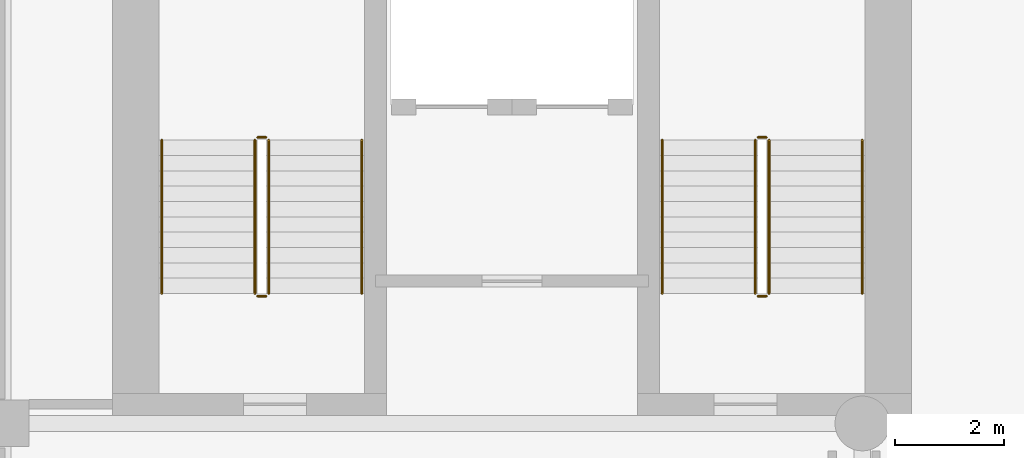
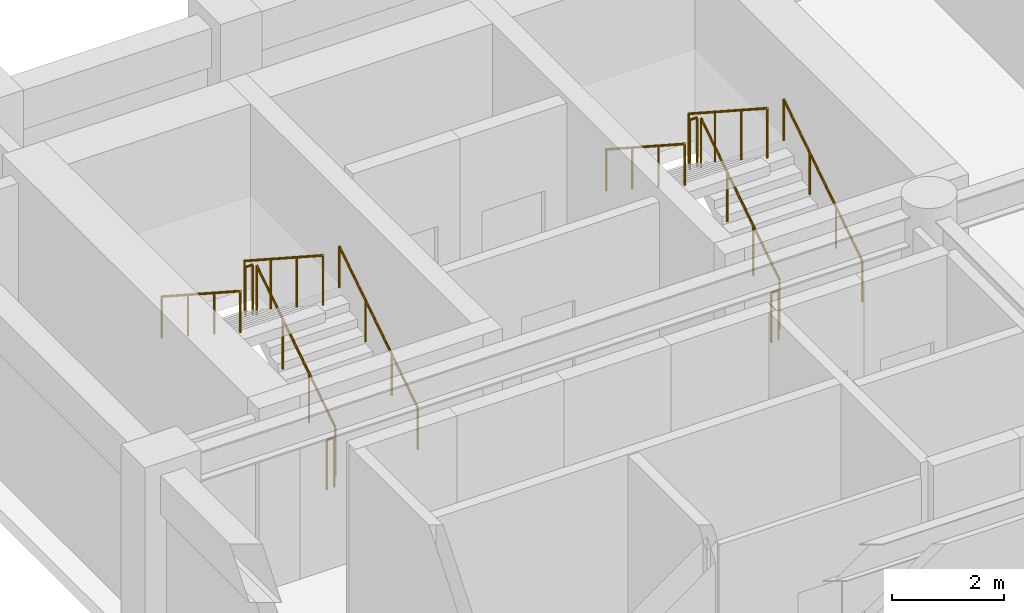
# One storey, part 7 of 8: 12 railings.
"""IFC4 building model written with IfcOpenShell, lengths in metres."""

import ifcopenshell
import ifcopenshell.guid

model = None  # the IFC model being written
_history = None  # IfcOwnerHistory: only IFC2X3 demands one
_inside = {}  # id of a spatial element -> (the spatial element, [elements in it])
_under = {}  # id of a project, library or spatial element -> (it, [spatial elements below it])
_declared = {}  # id of a project -> (the project, [libraries it declares])
_typed = {}  # id of a type object -> (the type object, [elements of that type])
_made_of = {}  # id of a material, layer set ... -> (it, [elements and type objects made of it])


def new_model(schema):
    """Start an empty IFC model of exactly this schema.

    Asked for "IFC4X3", IfcOpenShell would pick the latest addendum, in which some entities
    have other attributes; the version numbers below select the first issue.
    IFC2X3 requires an IfcOwnerHistory on every rooted entity: one is made here for all.
    """
    global model, _history
    if schema == "IFC4X3":
        model = ifcopenshell.file(schema_version=(4, 3, 0, 0))
    else:
        model = ifcopenshell.file(schema=schema)
    _inside.clear()
    _under.clear()
    _declared.clear()
    _typed.clear()
    _made_of.clear()
    _history = None
    if model.schema == "IFC2X3":
        org = make("IfcOrganization", Name="unknown")
        user = make(
            "IfcPersonAndOrganization",
            ThePerson=make("IfcPerson", FamilyName="unknown"),
            TheOrganization=org,
        )
        app = make(
            "IfcApplication",
            ApplicationDeveloper=org,
            Version="unknown",
            ApplicationFullName="unknown",
            ApplicationIdentifier="unknown",
        )
        _history = make(
            "IfcOwnerHistory",
            OwningUser=user,
            OwningApplication=app,
            ChangeAction="ADDED",
            CreationDate=0,
        )
    return model


def make(cls, **values):
    """One entity of the class cls with the attributes given. An attribute that is None is left unset."""
    return model.create_entity(
        cls, **{name: value for name, value in values.items() if value is not None}
    )


def rooted(cls, **values):
    """An entity with a GlobalId (a new one), such as an element, a storey or a relation."""
    return make(cls, GlobalId=ifcopenshell.guid.new(), OwnerHistory=_history, **values)


def si_unit(unit_type, name, prefix=None):
    """IfcSIUnit, for example si_unit("LENGTHUNIT", "METRE", prefix="MILLI")."""
    return make("IfcSIUnit", UnitType=unit_type, Prefix=prefix, Name=name)


def assignment(units):
    """IfcUnitAssignment: the units of a project."""
    return None if units is None else make("IfcUnitAssignment", Units=units)


def point(xyz):
    """IfcCartesianPoint."""
    return None if xyz is None else make("IfcCartesianPoint", Coordinates=xyz)


def direction(xyz):
    """IfcDirection."""
    return None if xyz is None else make("IfcDirection", DirectionRatios=xyz)


def frame(location, z_axis=None, x_axis=None):
    """IfcAxis2Placement3D, a coordinate frame: its origin and axes. An axis left out is left unset."""
    return make(
        "IfcAxis2Placement3D",
        Location=point(location),
        Axis=direction(z_axis),
        RefDirection=direction(x_axis),
    )


def frame_2d(location, x_axis=None):
    """IfcAxis2Placement2D, a coordinate frame in the plane: its origin and x axis."""
    return make(
        "IfcAxis2Placement2D", Location=point(location), RefDirection=direction(x_axis)
    )


def origin():
    """The frame at (0, 0, 0) with its axes left unset."""
    return frame((0.0, 0.0, 0.0))


def origin_2d():
    """The frame at (0, 0) in the plane with its x axis left unset."""
    return frame_2d((0.0, 0.0))


def place(relative_to, where):
    """IfcLocalPlacement: puts the frame where relative to a parent placement (None: the world)."""
    return make(
        "IfcLocalPlacement", PlacementRelTo=relative_to, RelativePlacement=where
    )


def context(
    kind, dimensions, precision=None, world=None, true_north=None, identifier=None
):
    """IfcGeometricRepresentationContext, for example the 3D "Model" context."""
    return make(
        "IfcGeometricRepresentationContext",
        ContextIdentifier=identifier,
        ContextType=kind,
        CoordinateSpaceDimension=dimensions,
        Precision=precision,
        WorldCoordinateSystem=world,
        TrueNorth=true_north,
    )


def subcontext(parent, identifier, kind, view, scale=None):
    """IfcGeometricRepresentationSubContext, for example "Body" below "Model"."""
    return make(
        "IfcGeometricRepresentationSubContext",
        ContextIdentifier=identifier,
        ContextType=kind,
        ParentContext=parent,
        TargetScale=scale,
        TargetView=view,
    )


def project(units=None, contexts=None):
    """IfcProject with its units and contexts."""
    return rooted(
        "IfcProject",
        Name="project",
        RepresentationContexts=contexts,
        UnitsInContext=assignment(units),
    )


def spatial(cls, under=None, at=None, **own):
    """A site, building, storey or space (cls), placed at a placement, below another one or the project."""
    s = rooted(cls, ObjectPlacement=at, **own)
    if under is not None:
        _under.setdefault(under.id(), (under, []))[1].append(s)
    return s


def profile(cls, at=None, kind="AREA", **sizes):
    """A parametric profile (cls). Its sizes go by their IFC names, for example OverallWidth=200.0."""
    return make(cls, ProfileType=kind, Position=at, **sizes)


def circle(**sizes):
    """IfcCircleProfileDef."""
    return profile("IfcCircleProfileDef", **sizes)


def extrude(swept, where, along, depth):
    """IfcExtrudedAreaSolid: the profile swept, set in the frame where, extruded along a direction by depth."""
    return make(
        "IfcExtrudedAreaSolid",
        SweptArea=swept,
        Position=where,
        ExtrudedDirection=direction(along),
        Depth=depth,
    )


def shape(context_of_items, identifier, shape_type, items):
    """IfcShapeRepresentation: the items that make up one representation, for example the "Body"."""
    return make(
        "IfcShapeRepresentation",
        ContextOfItems=context_of_items,
        RepresentationIdentifier=identifier,
        RepresentationType=shape_type,
        Items=items,
    )


def material(Name=None, Category=None):
    """IfcMaterial."""
    return make("IfcMaterial", Name=Name, Category=Category)


def made_of(thing, what):
    """Note that an element or type object is made of a material, layer set ...; save() writes the relation."""
    if what is not None:
        _made_of.setdefault(what.id(), (what, []))[1].append(thing)
    return thing


def type_object(cls, material=None, **own):
    """A type object (cls), such as IfcWallType, which elements share."""
    return made_of(rooted(cls, **own), material)


def element(
    cls,
    number,
    at=None,
    inside=None,
    cuts=None,
    type_object=None,
    material=None,
    context=None,
    identifier="Body",
    shape_type=None,
    held_by="IfcProductDefinitionShape",
    body=None,
    shapes=None,
    **own,
):
    """One element of the class cls, such as IfcWall. Its Tag is "e" and its number.

    at: its placement. inside: the storey or other place that contains it. cuts: it is an
    opening in that element (IfcRelVoidsElement). A single representation is given by context,
    identifier, shape_type and body (its items); several are given by shapes. held_by: the class
    of the entity that holds the representations. save() writes the other relations.
    """
    e = rooted(cls, Tag="e%d" % number, ObjectPlacement=at, **own)
    if body is not None:
        shapes = [shape(context, identifier, shape_type, body)]
    if shapes is not None:
        e.Representation = make(held_by, Representations=shapes)
    if inside is not None:
        _inside.setdefault(inside.id(), (inside, []))[1].append(e)
    if cuts is not None:
        rooted(
            "IfcRelVoidsElement", RelatingBuildingElement=cuts, RelatedOpeningElement=e
        )
    if type_object is not None:
        _typed.setdefault(type_object.id(), (type_object, []))[1].append(e)
    return made_of(e, material)


def aggregate(whole, parts):
    """IfcRelAggregates: a whole, such as a stair, and the parts it consists of."""
    return rooted("IfcRelAggregates", RelatingObject=whole, RelatedObjects=parts)


def save(model, path):
    """Write the relations noted so far, then the file.

    IfcRelAggregates (storeys below a building ...), IfcRelContainedInSpatialStructure (elements
    in a storey), IfcRelDefinesByType, IfcRelAssociatesMaterial and IfcRelDeclares: one each for
    every whole, place, type object, material and project.
    """
    for whole, parts in _under.values():
        aggregate(whole, parts)
    for where, things in _inside.values():
        rooted(
            "IfcRelContainedInSpatialStructure",
            RelatedElements=things,
            RelatingStructure=where,
        )
    for kind, things in _typed.values():
        rooted("IfcRelDefinesByType", RelatedObjects=things, RelatingType=kind)
    for what, things in _made_of.values():
        rooted("IfcRelAssociatesMaterial", RelatedObjects=things, RelatingMaterial=what)
    for by, libraries in _declared.values():
        rooted("IfcRelDeclares", RelatingContext=by, RelatedDefinitions=libraries)
    model.write(path)


model = new_model("IFC4")

# Units and contexts
model_context = context("Model", 3, precision=1e-05, world=origin(), true_north=direction((0.0, 1.0)))
body_context = subcontext(model_context, "Body", "Model", "MODEL_VIEW")
ifc_project = project(units=[si_unit("LENGTHUNIT", "METRE"), si_unit("AREAUNIT", "SQUARE_METRE"), si_unit("VOLUMEUNIT", "CUBIC_METRE"), si_unit("PLANEANGLEUNIT", "RADIAN"), si_unit("MASSUNIT", "GRAM", prefix="KILO")], contexts=[model_context])

# Site, building, storey
site_placement = place(None, origin())
site = spatial("IfcSite", under=ifc_project, at=site_placement, CompositionType="ELEMENT")
building_placement = place(site_placement, origin())
building = spatial("IfcBuilding", under=site, at=building_placement, Name="Sulina Concourse Tower", CompositionType="ELEMENT")
storey_placement = place(building_placement, frame((0.0, 0.0, 136.60009765625)))
storey = spatial("IfcBuildingStorey", under=building, at=storey_placement, Name="L33", CompositionType="ELEMENT", Elevation=136.60009765625)

# Railings
ifc_material_1 = material(Name="Galvanised steel railing", Category="steel")
railing_type_1 = type_object("IfcRailingType", Name="Core Stair Steel Guardrail 1150mm", PredefinedType="GUARDRAIL", material=ifc_material_1)
railing_1_placement = place(storey_placement, frame((5.554931640625, 36.375, 0.181640625)))
element("IfcRailing", 1, at=railing_1_placement, inside=storey, type_object=railing_type_1, Name="L33 ST-1 stair guard 1", PredefinedType="GUARDRAIL", context=body_context, shape_type="SweptSolid", body=[
    extrude(circle(Radius=0.02392578125, at=origin_2d()), frame((0.0, 0.0, 1.076171875), z_axis=(0.0, 0.838672427954, 0.544636170843), x_axis=(-1.0, 0.0, 0.0)), (0.0, 0.0, 1.0), 3.338623046875),
    extrude(circle(Radius=0.02099609375, at=origin_2d()), origin(), (0.0, 0.0, 1.0), 1.052001953125),
    extrude(circle(Radius=0.02099609375, at=origin_2d()), frame((0.0, 0.933349609375, 0.606201171875)), (0.0, 0.0, 1.0), 1.052001953125),
    extrude(circle(Radius=0.02099609375, at=origin_2d()), frame((0.0, 1.86669921875, 1.212158203125)), (0.0, 0.0, 1.0), 1.052001953125),
    extrude(circle(Radius=0.02099609375, at=origin_2d()), frame((0.0, 2.800048828125, 1.818359375)), (0.0, 0.0, 1.0), 1.052001953125),
])
railing_2_placement = place(storey_placement, frame((5.5048828125, 39.22509765625, 2.0)))
element("IfcRailing", 2, at=railing_2_placement, inside=storey, type_object=railing_type_1, Name="L33 ST-1 stair guard 2", PredefinedType="GUARDRAIL", context=body_context, shape_type="SweptSolid", body=[
    extrude(circle(Radius=0.02392578125, at=origin_2d()), frame((0.0, 0.0, 1.076171875), z_axis=(-1.0, 0.0, 0.0), x_axis=(0.0, -1.0, 0.0)), (0.0, 0.0, 1.0), 0.14990234375),
    extrude(circle(Radius=0.02099609375, at=origin_2d()), origin(), (0.0, 0.0, 1.0), 1.052001953125),
    extrude(circle(Radius=0.02099609375, at=origin_2d()), frame((-0.14990234375, 0.0, 0.0)), (0.0, 0.0, 1.0), 1.052001953125),
])
railing_3_placement = place(storey_placement, frame((5.304931640625, 39.175048828125, 2.181640625)))
element("IfcRailing", 3, at=railing_3_placement, inside=storey, type_object=railing_type_1, Name="L33 ST-1 stair guard 3", PredefinedType="GUARDRAIL", context=body_context, shape_type="SweptSolid", body=[
    extrude(circle(Radius=0.02392578125, at=origin_2d()), frame((0.0, 0.0, 1.076171875), z_axis=(0.0, -0.838672427954, 0.544636170843), x_axis=(1.0, 0.0, 0.0)), (0.0, 0.0, 1.0), 3.338623046875),
    extrude(circle(Radius=0.02099609375, at=origin_2d()), origin(), (0.0, 0.0, 1.0), 1.052001953125),
    extrude(circle(Radius=0.02099609375, at=origin_2d()), frame((0.0, -0.933349609375, 0.606201171875)), (0.0, 0.0, 1.0), 1.052001953125),
    extrude(circle(Radius=0.02099609375, at=origin_2d()), frame((0.0, -1.86669921875, 1.212158203125)), (0.0, 0.0, 1.0), 1.052001953125),
    extrude(circle(Radius=0.02099609375, at=origin_2d()), frame((0.0, -2.800048828125, 1.818359375)), (0.0, 0.0, 1.0), 1.052001953125),
])
railing_4_placement = place(storey_placement, frame((5.5048828125, 36.324951171875, 0.0)))
element("IfcRailing", 4, at=railing_4_placement, inside=storey, type_object=railing_type_1, Name="L33 ST-1 stair guard 4", PredefinedType="GUARDRAIL", context=body_context, shape_type="SweptSolid", body=[
    extrude(circle(Radius=0.02392578125, at=origin_2d()), frame((0.0, 0.0, 1.076171875), z_axis=(-1.0, 0.0, 0.0), x_axis=(0.0, -1.0, 0.0)), (0.0, 0.0, 1.0), 0.14990234375),
    extrude(circle(Radius=0.02099609375, at=origin_2d()), origin(), (0.0, 0.0, 1.0), 1.052001953125),
    extrude(circle(Radius=0.02099609375, at=origin_2d()), frame((-0.14990234375, 0.0, 0.0)), (0.0, 0.0, 1.0), 1.052001953125),
])
railing_5_placement = place(storey_placement, frame((14.695068359375, 36.375, 0.181640625)))
element("IfcRailing", 5, at=railing_5_placement, inside=storey, type_object=railing_type_1, Name="L33 ST-2 stair guard 1", PredefinedType="GUARDRAIL", context=body_context, shape_type="SweptSolid", body=[
    extrude(circle(Radius=0.02392578125, at=origin_2d()), frame((0.0, 0.0, 1.076171875), z_axis=(0.0, 0.838672427954, 0.544636170843), x_axis=(-1.0, 0.0, 0.0)), (0.0, 0.0, 1.0), 3.338623046875),
    extrude(circle(Radius=0.02099609375, at=origin_2d()), origin(), (0.0, 0.0, 1.0), 1.052001953125),
    extrude(circle(Radius=0.02099609375, at=origin_2d()), frame((0.0, 0.933349609375, 0.606201171875)), (0.0, 0.0, 1.0), 1.052001953125),
    extrude(circle(Radius=0.02099609375, at=origin_2d()), frame((0.0, 1.86669921875, 1.212158203125)), (0.0, 0.0, 1.0), 1.052001953125),
    extrude(circle(Radius=0.02099609375, at=origin_2d()), frame((0.0, 2.800048828125, 1.818359375)), (0.0, 0.0, 1.0), 1.052001953125),
])
railing_6_placement = place(storey_placement, frame((14.64501953125, 39.22509765625, 2.0)))
element("IfcRailing", 6, at=railing_6_placement, inside=storey, type_object=railing_type_1, Name="L33 ST-2 stair guard 2", PredefinedType="GUARDRAIL", context=body_context, shape_type="SweptSolid", body=[
    extrude(circle(Radius=0.02392578125, at=origin_2d()), frame((0.0, 0.0, 1.076171875), z_axis=(-1.0, 0.0, 0.0), x_axis=(0.0, -1.0, 0.0)), (0.0, 0.0, 1.0), 0.14990234375),
    extrude(circle(Radius=0.02099609375, at=origin_2d()), origin(), (0.0, 0.0, 1.0), 1.052001953125),
    extrude(circle(Radius=0.02099609375, at=origin_2d()), frame((-0.14990234375, 0.0, 0.0)), (0.0, 0.0, 1.0), 1.052001953125),
])
railing_7_placement = place(storey_placement, frame((14.445068359375, 39.175048828125, 2.181640625)))
element("IfcRailing", 7, at=railing_7_placement, inside=storey, type_object=railing_type_1, Name="L33 ST-2 stair guard 3", PredefinedType="GUARDRAIL", context=body_context, shape_type="SweptSolid", body=[
    extrude(circle(Radius=0.02392578125, at=origin_2d()), frame((0.0, 0.0, 1.076171875), z_axis=(0.0, -0.838672427954, 0.544636170843), x_axis=(1.0, 0.0, 0.0)), (0.0, 0.0, 1.0), 3.338623046875),
    extrude(circle(Radius=0.02099609375, at=origin_2d()), origin(), (0.0, 0.0, 1.0), 1.052001953125),
    extrude(circle(Radius=0.02099609375, at=origin_2d()), frame((0.0, -0.933349609375, 0.606201171875)), (0.0, 0.0, 1.0), 1.052001953125),
    extrude(circle(Radius=0.02099609375, at=origin_2d()), frame((0.0, -1.86669921875, 1.212158203125)), (0.0, 0.0, 1.0), 1.052001953125),
    extrude(circle(Radius=0.02099609375, at=origin_2d()), frame((0.0, -2.800048828125, 1.818359375)), (0.0, 0.0, 1.0), 1.052001953125),
])
railing_8_placement = place(storey_placement, frame((14.64501953125, 36.324951171875, 0.0)))
element("IfcRailing", 8, at=railing_8_placement, inside=storey, type_object=railing_type_1, Name="L33 ST-2 stair guard 4", PredefinedType="GUARDRAIL", context=body_context, shape_type="SweptSolid", body=[
    extrude(circle(Radius=0.02392578125, at=origin_2d()), frame((0.0, 0.0, 1.076171875), z_axis=(-1.0, 0.0, 0.0), x_axis=(0.0, -1.0, 0.0)), (0.0, 0.0, 1.0), 0.14990234375),
    extrude(circle(Radius=0.02099609375, at=origin_2d()), origin(), (0.0, 0.0, 1.0), 1.052001953125),
    extrude(circle(Radius=0.02099609375, at=origin_2d()), frame((-0.14990234375, 0.0, 0.0)), (0.0, 0.0, 1.0), 1.052001953125),
])
ifc_material_2 = material(Name="Galvanised steel railing", Category="steel")
railing_type_2 = type_object("IfcRailingType", Name="Stair Wall Steel Handrail 920mm", PredefinedType="HANDRAIL", material=ifc_material_2)
railing_9_placement = place(storey_placement, frame((7.2548828125, 36.375, 0.181640625)))
element("IfcRailing", 9, at=railing_9_placement, inside=storey, type_object=railing_type_2, Name="L33 ST-1 stair handrail 1", PredefinedType="HANDRAIL", context=body_context, shape_type="SweptSolid", body=[
    extrude(circle(Radius=0.02392578125, at=origin_2d()), frame((0.0, 0.0, 0.89599609375), z_axis=(0.0, 0.838672427954, 0.544636170843), x_axis=(-1.0, 0.0, 0.0)), (0.0, 0.0, 1.0), 3.338623046875),
    extrude(circle(Radius=0.02099609375, at=origin_2d()), origin(), (0.0, 0.0, 1.0), 0.871826171875),
    extrude(circle(Radius=0.02099609375, at=origin_2d()), frame((0.0, 0.933349609375, 0.606201171875)), (0.0, 0.0, 1.0), 0.871826171875),
    extrude(circle(Radius=0.02099609375, at=origin_2d()), frame((0.0, 1.86669921875, 1.212158203125)), (0.0, 0.0, 1.0), 0.871826171875),
    extrude(circle(Radius=0.02099609375, at=origin_2d()), frame((0.0, 2.800048828125, 1.818359375)), (0.0, 0.0, 1.0), 0.871826171875),
])
railing_10_placement = place(storey_placement, frame((3.60498046875, 39.175048828125, 2.181640625)))
element("IfcRailing", 10, at=railing_10_placement, inside=storey, type_object=railing_type_2, Name="L33 ST-1 stair handrail 2", PredefinedType="HANDRAIL", context=body_context, shape_type="SweptSolid", body=[
    extrude(circle(Radius=0.02392578125, at=origin_2d()), frame((0.0, 0.0, 0.89599609375), z_axis=(0.0, -0.838672427954, 0.544636170843), x_axis=(1.0, 0.0, 0.0)), (0.0, 0.0, 1.0), 3.338623046875),
    extrude(circle(Radius=0.02099609375, at=origin_2d()), origin(), (0.0, 0.0, 1.0), 0.871826171875),
    extrude(circle(Radius=0.02099609375, at=origin_2d()), frame((0.0, -0.933349609375, 0.606201171875)), (0.0, 0.0, 1.0), 0.871826171875),
    extrude(circle(Radius=0.02099609375, at=origin_2d()), frame((0.0, -1.86669921875, 1.212158203125)), (0.0, 0.0, 1.0), 0.871826171875),
    extrude(circle(Radius=0.02099609375, at=origin_2d()), frame((0.0, -2.800048828125, 1.818359375)), (0.0, 0.0, 1.0), 0.871826171875),
])
railing_11_placement = place(storey_placement, frame((16.39501953125, 36.375, 0.181640625)))
element("IfcRailing", 11, at=railing_11_placement, inside=storey, type_object=railing_type_2, Name="L33 ST-2 stair handrail 1", PredefinedType="HANDRAIL", context=body_context, shape_type="SweptSolid", body=[
    extrude(circle(Radius=0.02392578125, at=origin_2d()), frame((0.0, 0.0, 0.89599609375), z_axis=(0.0, 0.838672427954, 0.544636170843), x_axis=(-1.0, 0.0, 0.0)), (0.0, 0.0, 1.0), 3.338623046875),
    extrude(circle(Radius=0.02099609375, at=origin_2d()), origin(), (0.0, 0.0, 1.0), 0.871826171875),
    extrude(circle(Radius=0.02099609375, at=origin_2d()), frame((0.0, 0.933349609375, 0.606201171875)), (0.0, 0.0, 1.0), 0.871826171875),
    extrude(circle(Radius=0.02099609375, at=origin_2d()), frame((0.0, 1.86669921875, 1.212158203125)), (0.0, 0.0, 1.0), 0.871826171875),
    extrude(circle(Radius=0.02099609375, at=origin_2d()), frame((0.0, 2.800048828125, 1.818359375)), (0.0, 0.0, 1.0), 0.871826171875),
])
railing_12_placement = place(storey_placement, frame((12.7451171875, 39.175048828125, 2.181640625)))
element("IfcRailing", 12, at=railing_12_placement, inside=storey, type_object=railing_type_2, Name="L33 ST-2 stair handrail 2", PredefinedType="HANDRAIL", context=body_context, shape_type="SweptSolid", body=[
    extrude(circle(Radius=0.02392578125, at=origin_2d()), frame((0.0, 0.0, 0.89599609375), z_axis=(0.0, -0.838672427954, 0.544636170843), x_axis=(1.0, 0.0, 0.0)), (0.0, 0.0, 1.0), 3.338623046875),
    extrude(circle(Radius=0.02099609375, at=origin_2d()), origin(), (0.0, 0.0, 1.0), 0.871826171875),
    extrude(circle(Radius=0.02099609375, at=origin_2d()), frame((0.0, -0.933349609375, 0.606201171875)), (0.0, 0.0, 1.0), 0.871826171875),
    extrude(circle(Radius=0.02099609375, at=origin_2d()), frame((0.0, -1.86669921875, 1.212158203125)), (0.0, 0.0, 1.0), 0.871826171875),
    extrude(circle(Radius=0.02099609375, at=origin_2d()), frame((0.0, -2.800048828125, 1.818359375)), (0.0, 0.0, 1.0), 0.871826171875),
])

save(model, "model.ifc")
